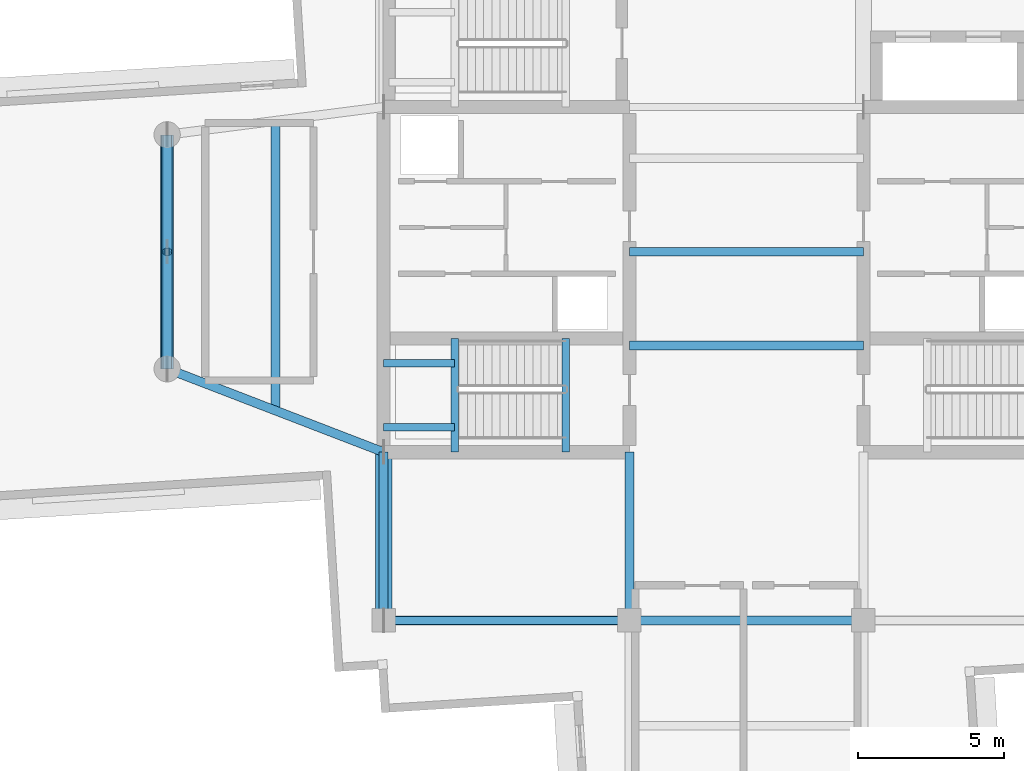
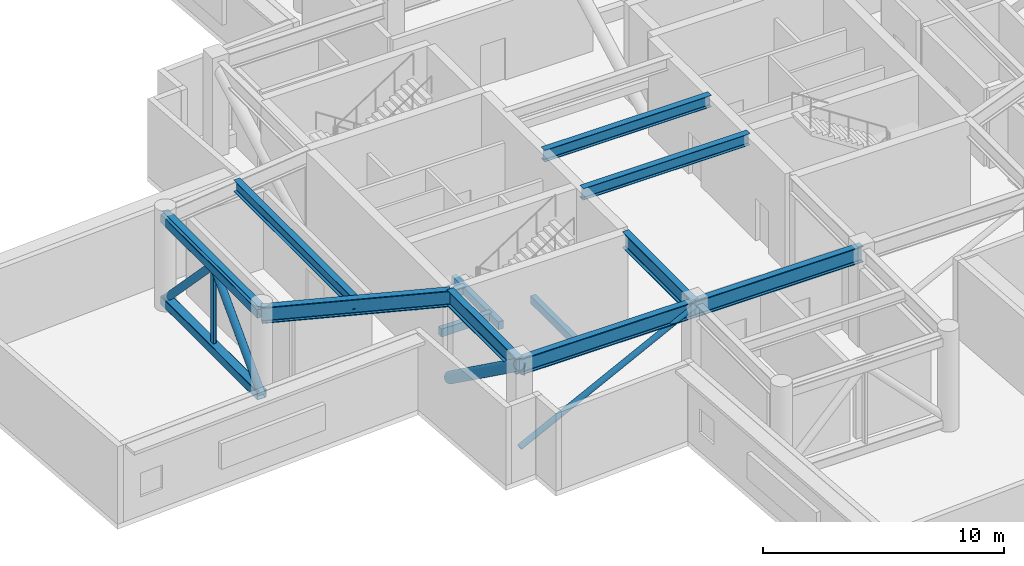
# One storey, part 3 of 14: 13 beams, 7 members.
"""IFC4 building model written with IfcOpenShell, lengths in metres."""

from ifc_helpers import new_model, si_unit, direction, frame, origin, origin_2d, place, context, subcontext, project, spatial, rectangle, hollow_rectangle, hollow_circle, i_section, extrude, material, material_profile, profile_set, type_object, element, save


model = new_model("IFC4")

# Units and contexts
model_context = context("Model", 3, precision=1e-05, world=origin(), true_north=direction((0.0, 1.0)))
body_context = subcontext(model_context, "Body", "Model", "MODEL_VIEW")
ifc_project = project(units=[si_unit("LENGTHUNIT", "METRE"), si_unit("AREAUNIT", "SQUARE_METRE"), si_unit("VOLUMEUNIT", "CUBIC_METRE"), si_unit("PLANEANGLEUNIT", "RADIAN"), si_unit("MASSUNIT", "GRAM", prefix="KILO")], contexts=[model_context])

# Site, building, storey
site_placement = place(None, origin())
site = spatial("IfcSite", under=ifc_project, at=site_placement, CompositionType="ELEMENT")
building_placement = place(site_placement, origin())
building = spatial("IfcBuilding", under=site, at=building_placement, Name="Qingluan Cross Belvedere", CompositionType="ELEMENT")
storey_placement = place(building_placement, frame((0.0, 0.0, 288.89990234375)))
storey = spatial("IfcBuildingStorey", under=building, at=storey_placement, Name="L72", CompositionType="ELEMENT", Elevation=288.89990234375)

# Beams
ifc_material_1 = material(Name="Concrete C45", Category="concrete")
ifc_material_profile_1 = material_profile(ifc_material_1, rectangle(XDim=0.25, YDim=0.39990234375, at=origin_2d()), Name="RC250x400")
ifc_profile_set_1 = profile_set([ifc_material_profile_1], Name="Concrete C45")
beam_type_1 = type_object("IfcBeamType", Name="RC_Lintel_RC250x400", PredefinedType="LINTEL", material=ifc_profile_set_1)
for number, where, z_axis, x_axis, name in (
    (1, (-6.179931640625, -6.85009765625, -0.199951171875), (0.0, 1.0, 0.0), (-1.0, 0.0, 0.0), "Stair ST1 landing beam L72"),
    (2, (-9.969970703125, -6.85009765625, 2.150146484375), (0.0, 1.0, 0.0), (-1.0, 0.0, 0.0), "Stair ST1 beam A L72"),
):
    element("IfcBeam", number, at=place(storey_placement, frame(where, z_axis=z_axis, x_axis=x_axis)), inside=storey, type_object=beam_type_1, Name=name, PredefinedType="LINTEL", context=body_context, shape_type="SweptSolid", body=[
        extrude(rectangle(XDim=0.25, YDim=0.39990234375, at=origin_2d()), origin(), (0.0, 0.0, 1.0), 3.89013671875),
    ])
for number, where, z_axis, x_axis, name in (
    (3, (-12.39990234375, -6.0, 2.150146484375), (1.0, 0.0, 0.0), (0.0, 1.0, 0.0), "Stair ST1 beam B L72"),
    (4, (-12.39990234375, -3.81005859375, 2.150146484375), (1.0, 0.0, 0.0), (0.0, 1.0, 0.0), "Stair ST1 beam C L72"),
):
    element("IfcBeam", number, at=place(storey_placement, frame(where, z_axis=z_axis, x_axis=x_axis)), inside=storey, type_object=beam_type_1, Name=name, PredefinedType="LINTEL", context=body_context, shape_type="SweptSolid", body=[
        extrude(rectangle(XDim=0.25, YDim=0.39990234375, at=origin_2d()), origin(), (0.0, 0.0, 1.0), 2.429931640625),
    ])

# Members
ifc_material_2 = material(Name="Steel Q420GJB", Category="steel")
ifc_material_profile_2 = material_profile(ifc_material_2, hollow_circle(Radius=0.177490234375, WallThickness=0.01611328125, at=origin_2d()), Name="CHS355x16")
ifc_profile_set_2 = profile_set([ifc_material_profile_2], Name="Steel Q420GJB")
member_type_1 = type_object("IfcMemberType", Name="SteelMember_BRACE_CHS355x16", PredefinedType="BRACE", material=ifc_profile_set_2)
for number, where, z_axis, x_axis, name in (
    (5, (-19.800048828125, -4.0, 0.35009765625), (0.0, 0.693983482825, 0.719990920475), (-1.0, 0.0, 0.0), "Belt truss diagonal A L72-W"),
    (6, (-19.800048828125, 4.0, 0.35009765625), (0.0, -0.693983482825, 0.719990920475), (1.0, 0.0, 0.0), "Belt truss diagonal B L72-W"),
):
    element("IfcMember", number, at=place(storey_placement, frame(where, z_axis=z_axis, x_axis=x_axis)), inside=storey, type_object=member_type_1, Name=name, PredefinedType="BRACE", context=body_context, shape_type="SweptSolid", body=[
        extrude(hollow_circle(Radius=0.177490234375, WallThickness=0.01611328125, at=origin_2d()), origin(), (0.0, 0.0, 1.0), 5.763916015625),
    ])
ifc_material_3 = material(Name="Steel Q420GJB", Category="steel")
ifc_material_profile_3 = material_profile(ifc_material_3, hollow_circle(Radius=0.279541015625, WallThickness=0.02490234375, at=origin_2d()), Name="CHS559x25")
ifc_profile_set_3 = profile_set([ifc_material_profile_3], Name="Steel Q420GJB")
member_type_2 = type_object("IfcMemberType", Name="SteelMember_BRACE_CHS559x25", PredefinedType="BRACE", material=ifc_profile_set_3)
member_1_placement = place(storey_placement, frame((-12.39990234375, -6.85009765625, 0.35009765625), z_axis=(0.0, -0.81087165175, 0.585224029231), x_axis=(1.0, 0.0, 0.0)))
element("IfcMember", 7, at=member_1_placement, inside=storey, type_object=member_type_2, Name="Outrigger truss diagonal L72-OWS", PredefinedType="BRACE", context=body_context, shape_type="SweptSolid", body=[
    extrude(hollow_circle(Radius=0.279541015625, WallThickness=0.02490234375, at=origin_2d()), origin(), (0.0, 0.0, 1.0), 7.091064453125),
])
ifc_material_4 = material(Name="Steel Q420GJB", Category="steel")
ifc_material_profile_4 = material_profile(ifc_material_4, hollow_rectangle(XDim=0.449951171875, YDim=0.449951171875, WallThickness=0.02197265625, InnerFilletRadius=0.02197265625, OuterFilletRadius=0.0439453125, at=origin_2d()), Name="RHS450x450x22")
ifc_profile_set_4 = profile_set([ifc_material_profile_4], Name="Steel Q420GJB")
member_type_3 = type_object("IfcMemberType", Name="SteelMember_CHORD_RHS450x450x22", PredefinedType="CHORD", material=ifc_profile_set_4)
for number, where, z_axis, x_axis, name in (
    (8, (-19.800048828125, -4.0, 0.35009765625), (0.0, 1.0, 0.0), (-1.0, 0.0, 0.0), "Belt truss bottom chord L72-W"),
    (9, (-19.800048828125, -4.0, 4.5), (0.0, 1.0, 0.0), (-1.0, 0.0, 0.0), "Belt truss top chord L72-W"),
):
    element("IfcMember", number, at=place(storey_placement, frame(where, z_axis=z_axis, x_axis=x_axis)), inside=storey, type_object=member_type_3, Name=name, PredefinedType="CHORD", context=body_context, shape_type="SweptSolid", body=[
        extrude(hollow_rectangle(XDim=0.449951171875, YDim=0.449951171875, WallThickness=0.02197265625, InnerFilletRadius=0.02197265625, OuterFilletRadius=0.0439453125, at=origin_2d()), origin(), (0.0, 0.0, 1.0), 8.0),
    ])
ifc_material_5 = material(Name="Steel Q420GJB", Category="steel")
ifc_material_profile_5 = material_profile(ifc_material_5, hollow_rectangle(XDim=0.14990234375, YDim=0.25, WallThickness=0.010009765625, InnerFilletRadius=0.010009765625, OuterFilletRadius=0.02001953125, at=origin_2d()), Name="RHS250x150x10")
ifc_profile_set_5 = profile_set([ifc_material_profile_5], Name="Steel Q420GJB")
member_type_4 = type_object("IfcMemberType", Name="SteelMember_POST_RHS250x150x10", PredefinedType="POST", material=ifc_profile_set_5)
member_2_placement = place(storey_placement, frame((-19.800048828125, 0.0, 0.35009765625), z_axis=(0.0, 0.0, 1.0), x_axis=(1.0, 0.0, 0.0)))
element("IfcMember", 10, at=member_2_placement, inside=storey, type_object=member_type_4, Name="Belt truss mid-post L72-W", PredefinedType="POST", context=body_context, shape_type="SweptSolid", body=[
    extrude(hollow_rectangle(XDim=0.14990234375, YDim=0.25, WallThickness=0.010009765625, InnerFilletRadius=0.010009765625, OuterFilletRadius=0.02001953125, at=origin_2d()), origin(), (0.0, 0.0, 1.0), 4.14990234375),
])
ifc_material_6 = material(Name="Steel Q420GJB", Category="steel")
ifc_material_profile_6 = material_profile(ifc_material_6, hollow_circle(Radius=0.136474609375, WallThickness=0.011962890625, at=origin_2d()), Name="CHS273x12")
ifc_profile_set_6 = profile_set([ifc_material_profile_6], Name="Steel Q420GJB")
member_type_5 = type_object("IfcMemberType", Name="SteelMember_STRUT_CHS273x12", PredefinedType="STRUT", material=ifc_profile_set_6)
member_3_placement = place(storey_placement, frame((-12.39990234375, -12.60009765625, 0.300048828125), z_axis=(0.892290477913, 0.0, 0.45146174038), x_axis=(0.0, 1.0, 0.0)))
element("IfcMember", 11, at=member_3_placement, inside=storey, type_object=member_type_5, Name="Refuge hub lateral strut L72-SW", PredefinedType="STRUT", context=body_context, shape_type="SweptSolid", body=[
    extrude(hollow_circle(Radius=0.136474609375, WallThickness=0.011962890625, at=origin_2d()), origin(), (0.0, 0.0, 1.0), 9.413818359375),
])

# Beams
ifc_material_7 = material(Name="Steel Q420GJB", Category="steel")
ifc_material_profile_7 = material_profile(ifc_material_7, i_section(OverallWidth=0.300048828125, OverallDepth=0.587890625, WebThickness=0.011962890625, FlangeThickness=0.02001953125, FilletRadius=0.02392578125, at=origin_2d()), Name="HM588x300x12x20")
ifc_profile_set_7 = profile_set([ifc_material_profile_7], Name="Steel Q420GJB")
beam_type_2 = type_object("IfcBeamType", Name="Steel_Beam_HM588x300x12x20", PredefinedType="BEAM", material=ifc_profile_set_7)
for number, where, z_axis, x_axis, name in (
    (12, (-4.0, -3.199951171875, 4.55615234375), (1.0, 0.0, 0.0), (0.0, 1.0, 0.0), "Hall beam L72-CH1"),
    (13, (-4.0, 0.0, 4.55615234375), (1.0, 0.0, 0.0), (0.0, 1.0, 0.0), "Hall beam L72-CH2"),
    (14, (-19.800048828125, -4.0, 4.55615234375), (0.0, 1.0, 0.0), (-1.0, 0.0, 0.0), "Arm W tie L72"),
):
    element("IfcBeam", number, at=place(storey_placement, frame(where, z_axis=z_axis, x_axis=x_axis)), inside=storey, type_object=beam_type_2, Name=name, PredefinedType="BEAM", context=body_context, shape_type="SweptSolid", body=[
        extrude(i_section(OverallWidth=0.300048828125, OverallDepth=0.587890625, WebThickness=0.011962890625, FlangeThickness=0.02001953125, FilletRadius=0.02392578125, at=origin_2d()), origin(), (0.0, 0.0, 1.0), 8.0),
    ])
beam_1_placement = place(storey_placement, frame((-16.10009765625, -5.425048828125, 4.55615234375), z_axis=(0.0, 1.0, 0.0), x_axis=(-1.0, 0.0, 0.0)))
element("IfcBeam", 15, at=beam_1_placement, inside=storey, type_object=beam_type_2, Name="Arm W beam L72", PredefinedType="BEAM", context=body_context, shape_type="SweptSolid", body=[
    extrude(i_section(OverallWidth=0.300048828125, OverallDepth=0.587890625, WebThickness=0.011962890625, FlangeThickness=0.02001953125, FilletRadius=0.02392578125, at=origin_2d()), origin(), (0.0, 0.0, 1.0), 9.900146484375),
])
ifc_material_8 = material(Name="Steel Q420GJB", Category="steel")
ifc_material_profile_8 = material_profile(ifc_material_8, i_section(OverallWidth=0.305908203125, OverallDepth=0.81396484375, WebThickness=0.02099609375, FlangeThickness=0.0400390625, FilletRadius=0.030029296875, at=origin_2d()), Name="HEM800")
ifc_profile_set_8 = profile_set([ifc_material_profile_8], Name="Steel Q420GJB")
beam_type_3 = type_object("IfcBeamType", Name="Steel_Girder_HEM800", PredefinedType="USERDEFINED", material=ifc_profile_set_8)
beam_2_placement = place(storey_placement, frame((-12.39990234375, -12.60009765625, 4.443115234375), z_axis=(1.0, 0.0, 0.0), x_axis=(0.0, 1.0, 0.0)))
element("IfcBeam", 16, at=beam_2_placement, inside=storey, type_object=beam_type_3, Name="Hub girder L72-HG-S1", ObjectType="GIRDER", PredefinedType="USERDEFINED", context=body_context, shape_type="SweptSolid", body=[
    extrude(i_section(OverallWidth=0.305908203125, OverallDepth=0.81396484375, WebThickness=0.02099609375, FlangeThickness=0.0400390625, FilletRadius=0.030029296875, at=origin_2d()), origin(), (0.0, 0.0, 1.0), 8.39990234375),
])
beam_3_placement = place(storey_placement, frame((-4.0, -12.60009765625, 4.443115234375), z_axis=(1.0, 0.0, 0.0), x_axis=(0.0, 1.0, 0.0)))
element("IfcBeam", 17, at=beam_3_placement, inside=storey, type_object=beam_type_3, Name="Hub girder L72-HG-S2", ObjectType="GIRDER", PredefinedType="USERDEFINED", context=body_context, shape_type="SweptSolid", body=[
    extrude(i_section(OverallWidth=0.305908203125, OverallDepth=0.81396484375, WebThickness=0.02099609375, FlangeThickness=0.0400390625, FilletRadius=0.030029296875, at=origin_2d()), origin(), (0.0, 0.0, 1.0), 8.0),
])
for number, where, z_axis, x_axis, name in (
    (18, (-12.39990234375, -12.60009765625, 4.443115234375), (0.0, 1.0, 0.0), (-1.0, 0.0, 0.0), "Hub girder L72-HG-W1"),
    (19, (-4.0, -12.60009765625, 4.443115234375), (0.0, 1.0, 0.0), (-1.0, 0.0, 0.0), "Hub girder L72-HG-CW"),
):
    element("IfcBeam", number, at=place(storey_placement, frame(where, z_axis=z_axis, x_axis=x_axis)), inside=storey, type_object=beam_type_3, Name=name, ObjectType="GIRDER", PredefinedType="USERDEFINED", context=body_context, shape_type="SweptSolid", body=[
        extrude(i_section(OverallWidth=0.305908203125, OverallDepth=0.81396484375, WebThickness=0.02099609375, FlangeThickness=0.0400390625, FilletRadius=0.030029296875, at=origin_2d()), origin(), (0.0, 0.0, 1.0), 5.75),
    ])
beam_4_placement = place(storey_placement, frame((-12.39990234375, -6.85009765625, 4.443115234375), z_axis=(-0.933181258889, 0.359406090735, 0.0), x_axis=(-0.359406090735, -0.933181258889, 0.0)))
element("IfcBeam", 20, at=beam_4_placement, inside=storey, type_object=beam_type_3, Name="Arm W radial girder A L72", ObjectType="GIRDER", PredefinedType="USERDEFINED", context=body_context, shape_type="SweptSolid", body=[
    extrude(i_section(OverallWidth=0.305908203125, OverallDepth=0.81396484375, WebThickness=0.02099609375, FlangeThickness=0.0400390625, FilletRadius=0.030029296875, at=origin_2d()), origin(), (0.0, 0.0, 1.0), 7.929931640625),
])

save(model, "model.ifc")
